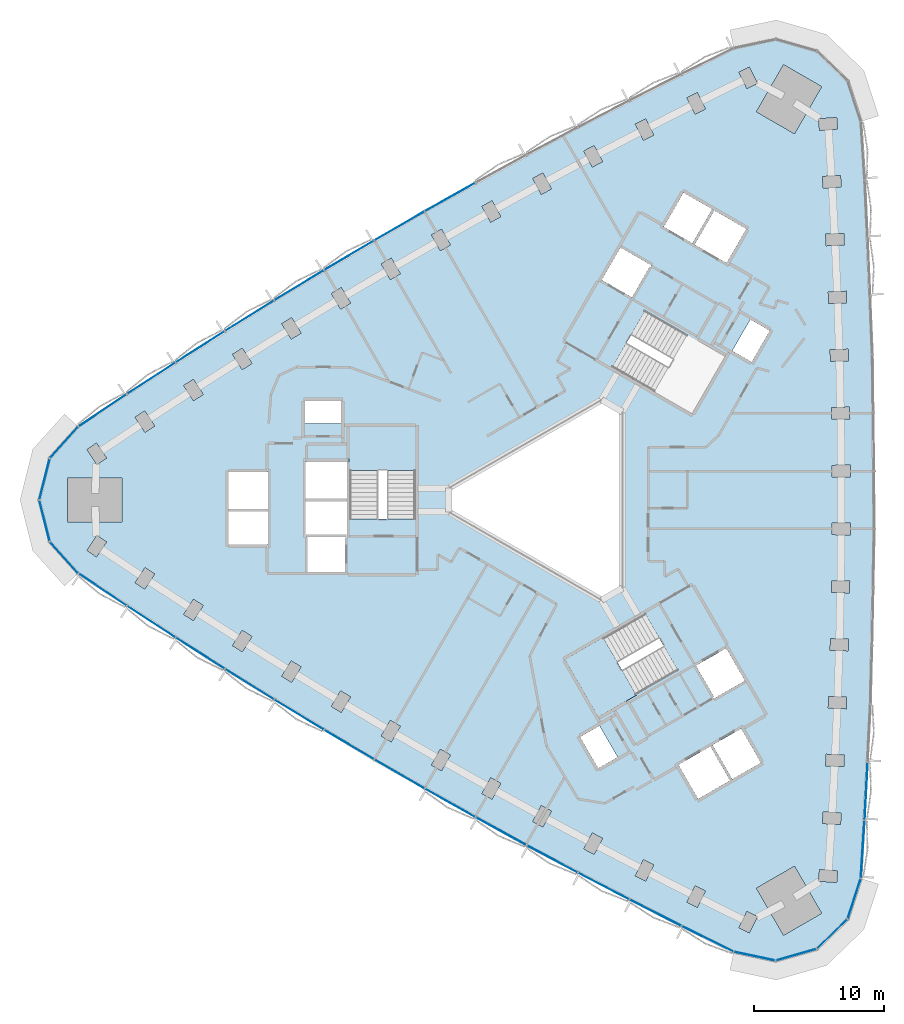
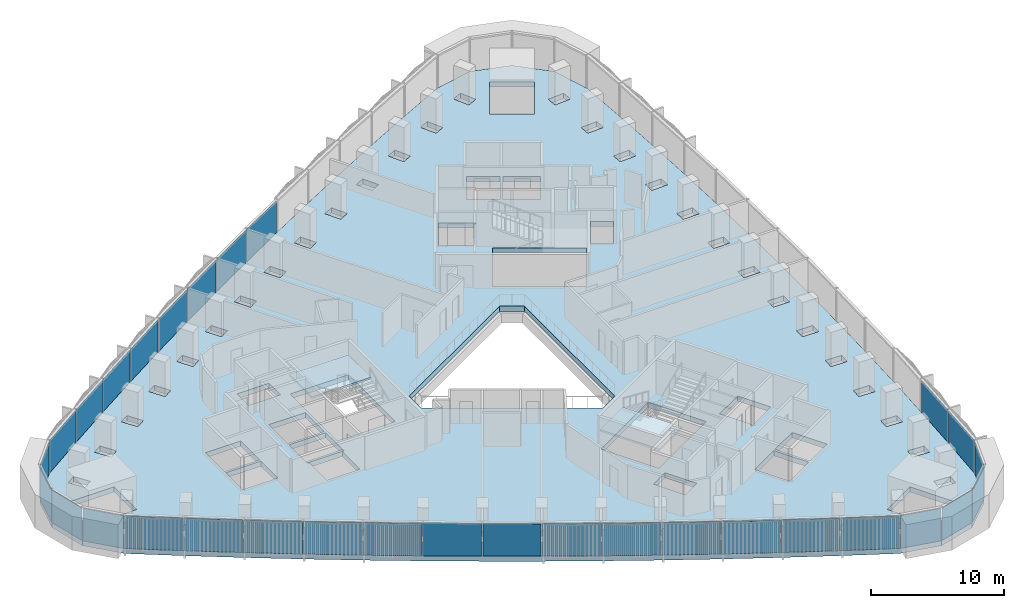
# One storey, part 7 of 15: 31 plates, 3 slabs, 5 elements without a shape of their own.
"""IFC4 building model written with IfcOpenShell, lengths in metres."""

from ifc_helpers import new_model, si_unit, direction, frame, origin, origin_2d, place, context, subcontext, project, spatial, polyline, rectangle, outline, extrude, material, layer, layer_set, type_object, element, aggregate, save


model = new_model("IFC4")

# Units and contexts
model_context = context("Model", 3, precision=1e-05, world=origin(), true_north=direction((0.0, 1.0)))
body_context = subcontext(model_context, "Body", "Model", "MODEL_VIEW")
ifc_project = project(units=[si_unit("LENGTHUNIT", "METRE"), si_unit("AREAUNIT", "SQUARE_METRE"), si_unit("VOLUMEUNIT", "CUBIC_METRE"), si_unit("PLANEANGLEUNIT", "RADIAN"), si_unit("MASSUNIT", "GRAM", prefix="KILO")], contexts=[model_context])

# Site, building, storey
site_placement = place(None, origin())
site = spatial("IfcSite", under=ifc_project, at=site_placement, CompositionType="ELEMENT")
building_placement = place(site_placement, origin())
building = spatial("IfcBuilding", under=site, at=building_placement, Name="Tamra Quay Hotel Tower", CompositionType="ELEMENT")
storey_placement = place(building_placement, frame((0.0, 0.0, 63.800048828125)))
storey = spatial("IfcBuildingStorey", under=building, at=storey_placement, Name="L14", CompositionType="ELEMENT", Elevation=63.800048828125)

# Stair, slab
ifc_material_1 = material(Name="Exit stair 2200 24 risers 150.0 going 342")
stair_type = type_object("IfcStairType", Name="Exit stair 2200 24 risers 150.0 going 342", PredefinedType="HALF_TURN_STAIR", material=ifc_material_1)
stair_1_placement = place(storey_placement, origin())
stair_1 = element("IfcStair", 1, at=stair_1_placement, inside=storey, type_object=stair_type, Name="L14 Exit stair ST3", PredefinedType="HALF_TURN_STAIR")
ifc_material_2 = material(Name="Concrete M70", Category="concrete")
ifc_layer_1 = layer(ifc_material_2, 0.175048828125)
ifc_layer_set_1 = layer_set([ifc_layer_1], Name="Concrete M70 stair landing 180")
slab_type_1 = type_object("IfcSlabType", Name="Concrete M70 stair landing 180", PredefinedType="LANDING", material=ifc_layer_set_1)
slab_1_placement = place(storey_placement, frame((0.0, 0.0, 1.625)))
slab_1 = element("IfcSlab", 2, at=slab_1_placement, type_object=slab_type_1, Name="ST3 landing 1", PredefinedType="LANDING", context=body_context, shape_type="SweptSolid", body=[
    extrude(outline(polyline([(-10.932373046875, 2.261962890625), (-10.932373046875, 5.679931640625), (-16.09130859375, 5.679931640625), (-16.09130859375, 2.261962890625), (-10.932373046875, 2.261962890625)])), origin(), (0.0, 0.0, 1.0), 0.175048828125),
])
aggregate(stair_1, [slab_1])

stair_2_placement = place(storey_placement, origin())
stair_2 = element("IfcStair", 3, at=stair_2_placement, inside=storey, type_object=stair_type, Name="L14 Exit stair ST2", PredefinedType="HALF_TURN_STAIR")
slab_2_placement = place(storey_placement, frame((0.0, 0.0, 1.625)))
slab_2 = element("IfcSlab", 4, at=slab_2_placement, type_object=slab_type_1, Name="ST2 landing 1", PredefinedType="LANDING", context=body_context, shape_type="SweptSolid", body=[
    extrude(outline(polyline([(3.50732421875, -10.5986328125), (0.547119140625, -12.3076171875), (3.126708984375, -16.775390625), (6.086669921875, -15.06640625), (3.50732421875, -10.5986328125)])), origin(), (0.0, 0.0, 1.0), 0.175048828125),
])
aggregate(stair_2, [slab_2])

# Slab
ifc_material_3 = material(Name="Concrete M60", Category="concrete")
ifc_layer_2 = layer(ifc_material_3, 0.47509765625)
ifc_layer_set_2 = layer_set([ifc_layer_2], Name="FLOOR SLAB PT 475")
slab_type_2 = type_object("IfcSlabType", Name="FLOOR SLAB PT 475", PredefinedType="FLOOR", material=ifc_layer_set_2)
slab_3_placement = place(storey_placement, frame((0.0, 0.0, -0.47509765625)))
element("IfcSlab", 5, at=slab_3_placement, inside=storey, type_object=slab_type_2, Name="SLAB-L14", PredefinedType="FLOOR", context=body_context, shape_type="SweptSolid", body=[
    extrude(outline(polyline([(23.699951171875, 24.723876953125), (23.943115234375, 20.231689453125), (24.137939453125, 15.738525390625), (24.283935546875, 11.24365234375), (24.38134765625, 6.74560546875), (24.43017578125, 2.248779296875), (24.43017578125, -2.248779296875), (24.38134765625, -6.74560546875), (24.283935546875, -11.24365234375), (24.137939453125, -15.738525390625), (23.943115234375, -20.231689453125), (23.699951171875, -24.723876953125), (23.40869140625, -29.210693359375), (22.386474609375, -32.356201171875), (20.00732421875, -34.65380859375), (16.828125, -35.5654296875), (13.593017578125, -34.877685546875), (9.5615234375, -32.88671875), (5.54931640625, -30.851318359375), (1.56103515625, -28.773193359375), (-2.40478515625, -26.65234375), (-6.3486328125, -24.48779296875), (-10.267578125, -22.281494140625), (-14.162353515625, -20.03271484375), (-18.03271484375, -17.741943359375), (-21.879150390625, -15.40869140625), (-25.698974609375, -13.034912109375), (-29.49267578125, -10.61962890625), (-33.261474609375, -8.162841796875), (-37.001708984375, -5.6669921875), (-39.214599609375, -3.208984375), (-40.0146484375, 0.0), (-39.214599609375, 3.208984375), (-37.001708984375, 5.6669921875), (-33.261474609375, 8.162841796875), (-29.49267578125, 10.61962890625), (-25.698974609375, 13.034912109375), (-21.879150390625, 15.40869140625), (-18.03271484375, 17.741943359375), (-14.162353515625, 20.03271484375), (-10.267578125, 22.281494140625), (-6.3486328125, 24.48779296875), (-2.40478515625, 26.65234375), (1.56103515625, 28.773193359375), (5.54931640625, 30.851318359375), (9.5615234375, 32.88671875), (13.593017578125, 34.877685546875), (16.828125, 35.5654296875), (20.00732421875, 34.65380859375), (22.386474609375, 32.356201171875), (23.40869140625, 29.210693359375), (23.699951171875, 24.723876953125)]), holes=[polyline([(-17.475830078125, -15.935791015625), (-16.70361328125, -16.39794921875), (-15.984375, -15.19677734375), (-16.756591796875, -14.734619140625), (-17.475830078125, -15.935791015625)]), polyline([(-20.56884765625, -12.416015625), (-21.3017578125, -13.60888671875), (-20.534912109375, -14.080078125), (-19.802001953125, -12.88720703125), (-20.56884765625, -12.416015625)]), polyline([(-24.357177734375, -10.05615234375), (-25.102294921875, -11.2412109375), (-24.340576171875, -11.72021484375), (-23.59521484375, -10.53515625), (-24.357177734375, -10.05615234375)]), polyline([(-28.11962890625, -7.6552734375), (-28.87744140625, -8.83251953125), (-28.12060546875, -9.319580078125), (-27.36279296875, -8.142578125), (-28.11962890625, -7.6552734375)]), polyline([(-31.854736328125, -5.21435546875), (-32.6259765625, -6.3828125), (-31.874755859375, -6.878662109375), (-31.103515625, -5.710205078125), (-31.854736328125, -5.21435546875)]), polyline([(-16.3173828125, -2.85498046875), (-19.4072265625, -2.85498046875), (-19.4072265625, -2.89306640625), (-19.307373046875, -2.89306640625), (-19.307373046875, -5.544921875), (-16.417236328125, -5.544921875), (-16.417236328125, -2.89306640625), (-16.3173828125, -2.89306640625), (-16.3173828125, -2.85498046875)]), polyline([(-35.565185546875, -2.73291015625), (-36.347900390625, -3.8935546875), (-35.601806640625, -4.396728515625), (-34.819091796875, -3.236083984375), (-35.565185546875, -2.73291015625)]), polyline([(-22.3671875, -3.445068359375), (-22.3671875, -0.905029296875), (-25.4072265625, -0.905029296875), (-25.4072265625, -3.445068359375), (-22.3671875, -3.445068359375)]), polyline([(-19.417236328125, -2.89306640625), (-19.417236328125, -2.64501953125), (-16.307373046875, -2.64501953125), (-16.307373046875, -2.89306640625), (-16.26708984375, -2.89306640625), (-16.26708984375, -0.10498046875), (-19.45751953125, -0.10498046875), (-19.45751953125, -2.89306640625), (-19.417236328125, -2.89306640625)]), polyline([(-33.62890625, 1.699951171875), (-37.828857421875, 1.699951171875), (-37.828857421875, -1.699951171875), (-33.62890625, -1.699951171875), (-33.62890625, 1.699951171875)]), polyline([(-25.4072265625, -0.695068359375), (-22.3671875, -0.695068359375), (-22.3671875, 2.14501953125), (-25.4072265625, 2.14501953125), (-25.4072265625, -0.695068359375)]), polyline([(-19.45751953125, 0.10498046875), (-16.26708984375, 0.10498046875), (-16.26708984375, 2.945068359375), (-19.45751953125, 2.945068359375), (-19.45751953125, 0.10498046875)]), polyline([(-16.036376953125, -1.455078125), (-10.9873046875, -1.455078125), (-10.9873046875, 5.625), (-16.036376953125, 5.625), (-16.036376953125, -1.455078125)]), polyline([(-34.819091796875, 3.236083984375), (-35.601806640625, 4.396728515625), (-36.347900390625, 3.8935546875), (-35.565185546875, 2.73291015625), (-34.819091796875, 3.236083984375)]), polyline([(-31.103515625, 5.710205078125), (-31.874755859375, 6.878662109375), (-32.6259765625, 6.3828125), (-31.854736328125, 5.21435546875), (-31.103515625, 5.710205078125)]), polyline([(-16.71728515625, 7.64501953125), (-19.50732421875, 7.64501953125), (-19.50732421875, 5.9150390625), (-16.71728515625, 5.9150390625), (-16.71728515625, 7.64501953125)]), polyline([(-27.36279296875, 8.142578125), (-28.12060546875, 9.319580078125), (-28.87744140625, 8.83251953125), (-28.11962890625, 7.6552734375), (-27.36279296875, 8.142578125)]), polyline([(-23.59521484375, 10.53515625), (-24.340576171875, 11.72021484375), (-25.102294921875, 11.2412109375), (-24.357177734375, 10.05615234375), (-23.59521484375, 10.53515625)]), polyline([(-19.802001953125, 12.88720703125), (-20.534912109375, 14.080078125), (-21.3017578125, 13.60888671875), (-20.56884765625, 12.416015625), (-19.802001953125, 12.88720703125)]), polyline([(-15.984375, 15.19677734375), (-16.70361328125, 16.39794921875), (-17.475830078125, 15.935791015625), (-16.756591796875, 14.734619140625), (-15.984375, 15.19677734375)]), polyline([(-12.141357421875, 17.466064453125), (-12.84765625, 18.6748046875), (-13.624755859375, 18.220703125), (-12.918212890625, 17.011962890625), (-12.141357421875, 17.466064453125)]), polyline([(10.606689453125, -29.79150390625), (9.980224609375, -31.04345703125), (10.78515625, -31.4462890625), (11.41162109375, -30.194091796875), (10.606689453125, -29.79150390625)]), polyline([(6.6298828125, -27.76806640625), (5.9892578125, -29.012939453125), (6.78955078125, -29.4248046875), (7.43017578125, -28.179931640625), (6.6298828125, -27.76806640625)]), polyline([(2.673828125, -25.70166015625), (2.02001953125, -26.939697265625), (2.81591796875, -27.35986328125), (3.4697265625, -26.121826171875), (2.673828125, -25.70166015625)]), polyline([(-1.259521484375, -23.5927734375), (-1.92626953125, -24.82373046875), (-1.134765625, -25.252197265625), (-0.46826171875, -24.021240234375), (-1.259521484375, -23.5927734375)]), polyline([(-5.168701171875, -21.44140625), (-5.849365234375, -22.664794921875), (-5.06298828125, -23.102294921875), (-4.382080078125, -21.87890625), (-5.168701171875, -21.44140625)]), polyline([(13.3056640625, -21.65576171875), (11.78564453125, -19.02294921875), (9.325927734375, -20.443115234375), (10.845947265625, -23.075927734375), (13.3056640625, -21.65576171875)]), polyline([(-9.055419921875, -19.247802734375), (-9.7490234375, -20.4638671875), (-8.96728515625, -20.90966796875), (-8.273681640625, -19.693603515625), (-9.055419921875, -19.247802734375)]), polyline([(1.73779296875, -18.300048828125), (3.1328125, -20.71630859375), (4.631103515625, -19.851318359375), (3.236083984375, -17.43505859375), (1.73779296875, -18.300048828125)]), polyline([(-12.918212890625, -17.011962890625), (-13.624755859375, -18.220703125), (-12.84765625, -18.6748046875), (-12.141357421875, -17.466064453125), (-12.918212890625, -17.011962890625)]), polyline([(10.68115234375, -12.790283203125), (12.05615234375, -15.171875), (11.969482421875, -15.2216796875), (12.03955078125, -15.343017578125), (14.455810546875, -13.947998046875), (13.0107421875, -11.4453125), (10.68115234375, -12.790283203125)]), polyline([(9.2783203125, -13.160400390625), (6.75390625, -8.78759765625), (0.622314453125, -12.32763671875), (3.146728515625, -16.7001953125), (9.2783203125, -13.160400390625)]), polyline([(3.39990234375, 7.736572265625), (-8.39990234375, 0.923828125), (-8.39990234375, -0.923828125), (3.39990234375, -7.736572265625), (5.0, -6.812744140625), (5.0, 6.812744140625), (3.39990234375, 7.736572265625)]), polyline([(6.758056640625, 14.615478515625), (4.2333984375, 10.242919921875), (10.364990234375, 6.702880859375), (12.889404296875, 11.075439453125), (6.758056640625, 14.615478515625)]), polyline([(5.736083984375, 15.645263671875), (7.111083984375, 18.02685546875), (7.19775390625, 17.976806640625), (7.267578125, 18.09814453125), (4.8515625, 19.4931640625), (3.406494140625, 16.990234375), (5.736083984375, 15.645263671875)]), polyline([(-8.273681640625, 19.693603515625), (-8.96728515625, 20.90966796875), (-9.7490234375, 20.4638671875), (-9.055419921875, 19.247802734375), (-8.273681640625, 19.693603515625)]), polyline([(8.2001953125, 21.093017578125), (10.39990234375, 19.822998046875), (11.919921875, 22.455810546875), (9.72021484375, 23.725830078125), (8.2001953125, 21.093017578125)]), polyline([(-4.382080078125, 21.87890625), (-5.06298828125, 23.102294921875), (-5.849365234375, 22.664794921875), (-5.168701171875, 21.44140625), (-4.382080078125, 21.87890625)]), polyline([(-0.46826171875, 24.021240234375), (-1.134765625, 25.252197265625), (-1.92626953125, 24.82373046875), (-1.259521484375, 23.5927734375), (-0.46826171875, 24.021240234375)]), polyline([(3.4697265625, 26.121826171875), (2.81591796875, 27.35986328125), (2.02001953125, 26.939697265625), (2.673828125, 25.70166015625), (3.4697265625, 26.121826171875)]), polyline([(7.43017578125, 28.179931640625), (6.78955078125, 29.4248046875), (5.9892578125, 29.012939453125), (6.6298828125, 27.76806640625), (7.43017578125, 28.179931640625)]), polyline([(11.41162109375, 30.194091796875), (10.78515625, 31.4462890625), (9.980224609375, 31.04345703125), (10.606689453125, 29.79150390625), (11.41162109375, 30.194091796875)]), polyline([(14.60693359375, -31.772216796875), (13.993408203125, -33.030517578125), (14.80224609375, -33.425048828125), (15.416015625, -32.166748046875), (14.60693359375, -31.772216796875)]), polyline([(15.34228515625, -29.973388671875), (17.442138671875, -33.61083984375), (20.38671875, -31.910888671875), (18.28662109375, -28.2734375), (15.34228515625, -29.973388671875)]), polyline([(20.1494140625, -29.43408203125), (21.5458984375, -29.53173828125), (21.608642578125, -28.6337890625), (20.212158203125, -28.5361328125), (20.1494140625, -29.43408203125)]), polyline([(20.443115234375, -24.979736328125), (21.840576171875, -25.0634765625), (21.894287109375, -24.1650390625), (20.496826171875, -24.081298828125), (20.443115234375, -24.979736328125)]), polyline([(20.689453125, -20.524658203125), (22.087890625, -20.59228515625), (22.13134765625, -19.693359375), (20.73291015625, -19.625732421875), (20.689453125, -20.524658203125)]), polyline([(14.1669921875, -17.648193359375), (11.96728515625, -18.91796875), (13.487548828125, -21.55078125), (15.68701171875, -20.281005859375), (14.1669921875, -17.648193359375)]), polyline([(20.887451171875, -16.06591796875), (22.286376953125, -16.11865234375), (22.3203125, -15.219482421875), (20.92138671875, -15.16650390625), (20.887451171875, -16.06591796875)]), polyline([(21.037109375, -11.60498046875), (22.4365234375, -11.643310546875), (22.461181640625, -10.74365234375), (21.0615234375, -10.70556640625), (21.037109375, -11.60498046875)]), polyline([(21.138916015625, -7.144287109375), (22.538818359375, -7.16650390625), (22.552978515625, -6.2666015625), (21.153076171875, -6.244384765625), (21.138916015625, -7.144287109375)]), polyline([(21.19189453125, -2.681640625), (22.591796875, -2.68896484375), (22.5966796875, -1.7890625), (21.19677734375, -1.781494140625), (21.19189453125, -2.681640625)]), polyline([(21.19677734375, 1.781494140625), (22.5966796875, 1.7890625), (22.591796875, 2.68896484375), (21.19189453125, 2.681640625), (21.19677734375, 1.781494140625)]), polyline([(21.153076171875, 6.244384765625), (22.552978515625, 6.2666015625), (22.538818359375, 7.16650390625), (21.138916015625, 7.144287109375), (21.153076171875, 6.244384765625)]), polyline([(21.0615234375, 10.70556640625), (22.461181640625, 10.74365234375), (22.4365234375, 11.643310546875), (21.037109375, 11.60498046875), (21.0615234375, 10.70556640625)]), polyline([(14.9794921875, 10.655029296875), (16.37451171875, 13.0712890625), (14.876220703125, 13.936279296875), (13.481201171875, 11.52001953125), (14.9794921875, 10.655029296875)]), polyline([(20.92138671875, 15.16650390625), (22.3203125, 15.219482421875), (22.286376953125, 16.11865234375), (20.887451171875, 16.06591796875), (20.92138671875, 15.16650390625)]), polyline([(20.73291015625, 19.625732421875), (22.13134765625, 19.693359375), (22.087890625, 20.59228515625), (20.689453125, 20.524658203125), (20.73291015625, 19.625732421875)]), polyline([(12.101806640625, 22.350830078125), (10.58154296875, 19.718017578125), (13.041259765625, 18.298095703125), (14.561279296875, 20.930908203125), (12.101806640625, 22.350830078125)]), polyline([(20.496826171875, 24.081298828125), (21.894287109375, 24.1650390625), (21.840576171875, 25.0634765625), (20.443115234375, 24.979736328125), (20.496826171875, 24.081298828125)]), polyline([(20.212158203125, 28.5361328125), (21.608642578125, 28.6337890625), (21.5458984375, 29.53173828125), (20.1494140625, 29.43408203125), (20.212158203125, 28.5361328125)]), polyline([(18.28662109375, 28.2734375), (20.38671875, 31.910888671875), (17.442138671875, 33.61083984375), (15.34228515625, 29.973388671875), (18.28662109375, 28.2734375)]), polyline([(15.416015625, 32.166748046875), (14.80224609375, 33.425048828125), (13.993408203125, 33.030517578125), (14.60693359375, 31.772216796875), (15.416015625, 32.166748046875)])]), origin(), (0.0, 0.0, 1.0), 0.47509765625),
])

# Curtain wall, plates
ifc_material_4 = material(Name="Aluminium 6063 anodised dark grey", Category="aluminium")
curtain_wall_type_1 = type_object("IfcCurtainWallType", Name="CW1 CURTAIN WALL", PredefinedType="NOTDEFINED", material=ifc_material_4)
curtain_wall_1_placement = place(storey_placement, origin())
curtain_wall_1 = element("IfcCurtainWall", 6, at=curtain_wall_1_placement, inside=storey, type_object=curtain_wall_type_1, Name="CW1 east face L14", PredefinedType="NOTDEFINED")
ifc_material_5 = material(Name="Glass clear laminated low-iron", Category="glass")
ifc_layer_3 = layer(ifc_material_5, 0.035888671875)
ifc_layer_set_3 = layer_set([ifc_layer_3], Name="GLASS PANEL CW1 Z1")
plate_type_1 = type_object("IfcPlateType", Name="GLASS PANEL CW1 Z1", PredefinedType="CURTAIN_PANEL", material=ifc_layer_set_3)
plate_1_placement = place(storey_placement, frame((23.55419921875, -26.96728515625, 0.0), z_axis=(0.0, 0.0, 1.0), x_axis=(0.064813097616, 0.997897420769, 0.0)))
plate_1 = element("IfcPlate", 7, at=plate_1_placement, type_object=plate_type_1, Name="CW1 glass L14.E.1", PredefinedType="CURTAIN_PANEL", context=body_context, shape_type="SweptSolid", body=[
    extrude(rectangle(XDim=4.396484375, YDim=0.035888671875, at=origin_2d()), origin(), (0.0, 0.0, 1.0), 2.985107421875),
])
plate_2_placement = place(storey_placement, frame((23.821533203125, -22.477783203125, 0.0), z_axis=(0.0, 0.0, 1.0), x_axis=(0.054062119595, 0.998537574268, 0.0)))
plate_2 = element("IfcPlate", 8, at=plate_2_placement, type_object=plate_type_1, Name="CW1 glass L14.E.2", PredefinedType="CURTAIN_PANEL", context=body_context, shape_type="SweptSolid", body=[
    extrude(rectangle(XDim=4.39892578125, YDim=0.035888671875, at=origin_2d()), origin(), (0.0, 0.0, 1.0), 2.985107421875),
])
aggregate(curtain_wall_1, [plate_1, plate_2])

curtain_wall_type_2 = type_object("IfcCurtainWallType", Name="CW2 CURTAIN WALL", PredefinedType="NOTDEFINED", material=ifc_material_4)
curtain_wall_2_placement = place(storey_placement, origin())
curtain_wall_2 = element("IfcCurtainWall", 9, at=curtain_wall_2_placement, inside=storey, type_object=curtain_wall_type_2, Name="CW2 north-west face L14", PredefinedType="NOTDEFINED")
ifc_layer_4 = layer(ifc_material_5, 0.035888671875)
ifc_layer_set_4 = layer_set([ifc_layer_4], Name="GLASS PANEL CW2 Z1")
plate_type_2 = type_object("IfcPlateType", Name="GLASS PANEL CW2 Z1", PredefinedType="CURTAIN_PANEL", material=ifc_layer_set_4)
plate_3_placement = place(storey_placement, frame((-8.30810546875, 23.384521484375, 0.0), z_axis=(0.0, 0.0, 1.0), x_axis=(-0.871392472945, -0.490586544959, 0.0)))
plate_3 = element("IfcPlate", 10, at=plate_3_placement, type_object=plate_type_2, Name="CW2 glass L14.NW.6", PredefinedType="CURTAIN_PANEL", context=body_context, shape_type="SweptSolid", body=[
    extrude(rectangle(XDim=4.397216796875, YDim=0.035888671875, at=origin_2d()), origin(), (0.0, 0.0, 1.0), 2.985107421875),
])
plate_4_placement = place(storey_placement, frame((-12.215087890625, 21.156982421875, 0.0), z_axis=(0.0, 0.0, 1.0), x_axis=(-0.866025403784, -0.5, 0.0)))
plate_4 = element("IfcPlate", 11, at=plate_4_placement, type_object=plate_type_2, Name="CW2 glass L14.NW.7", PredefinedType="CURTAIN_PANEL", context=body_context, shape_type="SweptSolid", body=[
    extrude(rectangle(XDim=4.397216796875, YDim=0.035888671875, at=origin_2d()), origin(), (0.0, 0.0, 1.0), 2.985107421875),
])
plate_5_placement = place(storey_placement, frame((-16.09765625, 18.887451171875, 0.0), z_axis=(0.0, 0.0, 1.0), x_axis=(-0.860556647162, -0.509354745757, 0.0)))
plate_5 = element("IfcPlate", 12, at=plate_5_placement, type_object=plate_type_2, Name="CW2 glass L14.NW.8", PredefinedType="CURTAIN_PANEL", context=body_context, shape_type="SweptSolid", body=[
    extrude(rectangle(XDim=4.397216796875, YDim=0.035888671875, at=origin_2d()), origin(), (0.0, 0.0, 1.0), 2.985107421875),
])
plate_6_placement = place(storey_placement, frame((-19.955810546875, 16.575439453125, 0.0), z_axis=(0.0, 0.0, 1.0), x_axis=(-0.85499355735, -0.51863861878, 0.0)))
plate_6 = element("IfcPlate", 13, at=plate_6_placement, type_object=plate_type_2, Name="CW2 glass L14.NW.9", PredefinedType="CURTAIN_PANEL", context=body_context, shape_type="SweptSolid", body=[
    extrude(rectangle(XDim=4.39892578125, YDim=0.035888671875, at=origin_2d()), origin(), (0.0, 0.0, 1.0), 2.985107421875),
])
plate_7_placement = place(storey_placement, frame((-23.7890625, 14.2216796875, 0.0), z_axis=(0.0, 0.0, 1.0), x_axis=(-0.849331223164, -0.527860278254, 0.0)))
plate_7 = element("IfcPlate", 14, at=plate_7_placement, type_object=plate_type_2, Name="CW2 glass L14.NW.10", PredefinedType="CURTAIN_PANEL", context=body_context, shape_type="SweptSolid", body=[
    extrude(rectangle(XDim=4.397216796875, YDim=0.035888671875, at=origin_2d()), origin(), (0.0, 0.0, 1.0), 2.985107421875),
])
plate_8_placement = place(storey_placement, frame((-27.595703125, 11.8271484375, 0.0), z_axis=(0.0, 0.0, 1.0), x_axis=(-0.84357098627, -0.537017682319, 0.0)))
plate_8 = element("IfcPlate", 15, at=plate_8_placement, type_object=plate_type_2, Name="CW2 glass L14.NW.11", PredefinedType="CURTAIN_PANEL", context=body_context, shape_type="SweptSolid", body=[
    extrude(rectangle(XDim=4.397216796875, YDim=0.035888671875, at=origin_2d()), origin(), (0.0, 0.0, 1.0), 2.985107421875),
])
plate_9_placement = place(storey_placement, frame((-31.376953125, 9.391357421875, 0.0), z_axis=(0.0, 0.0, 1.0), x_axis=(-0.837727846152, -0.546087956086, 0.0)))
plate_9 = element("IfcPlate", 16, at=plate_9_placement, type_object=plate_type_2, Name="CW2 glass L14.NW.12", PredefinedType="CURTAIN_PANEL", context=body_context, shape_type="SweptSolid", body=[
    extrude(rectangle(XDim=4.39892578125, YDim=0.035888671875, at=origin_2d()), origin(), (0.0, 0.0, 1.0), 2.985107421875),
])
plate_10_placement = place(storey_placement, frame((-35.131591796875, 6.9150390625, 0.0), z_axis=(0.0, 0.0, 1.0), x_axis=(-0.831797967949, -0.555078499418, 0.0)))
plate_10 = element("IfcPlate", 17, at=plate_10_placement, type_object=plate_type_2, Name="CW2 glass L14.NW.13", PredefinedType="CURTAIN_PANEL", context=body_context, shape_type="SweptSolid", body=[
    extrude(rectangle(XDim=4.396484375, YDim=0.035888671875, at=origin_2d()), origin(), (0.0, 0.0, 1.0), 2.985107421875),
])
plate_11_placement = place(storey_placement, frame((-38.108154296875, 4.43798828125, 0.0), z_axis=(0.0, 0.0, 1.0), x_axis=(-0.669112198553, -0.743161399527, 0.0)))
plate_11 = element("IfcPlate", 18, at=plate_11_placement, type_object=plate_type_2, Name="CW2 glass L14.NW.14", PredefinedType="CURTAIN_PANEL", context=body_context, shape_type="SweptSolid", body=[
    extrude(rectangle(XDim=3.207275390625, YDim=0.035888671875, at=origin_2d()), origin(), (0.0, 0.0, 1.0), 2.985107421875),
])
plate_12_placement = place(storey_placement, frame((-39.61474609375, 1.6044921875, 0.0), z_axis=(0.0, 0.0, 1.0), x_axis=(-0.241913884219, -0.970297723702, 0.0)))
plate_12 = element("IfcPlate", 19, at=plate_12_placement, type_object=plate_type_2, Name="CW2 glass L14.NW.15", PredefinedType="CURTAIN_PANEL", context=body_context, shape_type="SweptSolid", body=[
    extrude(rectangle(XDim=3.207275390625, YDim=0.035888671875, at=origin_2d()), origin(), (0.0, 0.0, 1.0), 2.985107421875),
])
plate_13_placement = place(storey_placement, frame((-39.61474609375, -1.6044921875, 0.0), z_axis=(0.0, 0.0, 1.0), x_axis=(0.24191388422, -0.970297723702, 0.0)))
plate_13 = element("IfcPlate", 20, at=plate_13_placement, type_object=plate_type_2, Name="CW2 glass L14.NW.16", PredefinedType="CURTAIN_PANEL", context=body_context, shape_type="SweptSolid", body=[
    extrude(rectangle(XDim=3.207275390625, YDim=0.035888671875, at=origin_2d()), origin(), (0.0, 0.0, 1.0), 2.985107421875),
])
plate_14_placement = place(storey_placement, frame((-38.108154296875, -4.43798828125, 0.0), z_axis=(0.0, 0.0, 1.0), x_axis=(0.669112198553, -0.743161399527, 0.0)))
plate_14 = element("IfcPlate", 21, at=plate_14_placement, type_object=plate_type_2, Name="CW2 glass L14.NW.17", PredefinedType="CURTAIN_PANEL", context=body_context, shape_type="SweptSolid", body=[
    extrude(rectangle(XDim=3.207275390625, YDim=0.035888671875, at=origin_2d()), origin(), (0.0, 0.0, 1.0), 2.985107421875),
])
aggregate(curtain_wall_2, [plate_3, plate_4, plate_5, plate_6, plate_7, plate_8, plate_9, plate_10, plate_11, plate_12, plate_13, plate_14])

curtain_wall_type_3 = type_object("IfcCurtainWallType", Name="CW3 CURTAIN WALL", PredefinedType="NOTDEFINED", material=ifc_material_4)
curtain_wall_3_placement = place(storey_placement, origin())
curtain_wall_3 = element("IfcCurtainWall", 22, at=curtain_wall_3_placement, inside=storey, type_object=curtain_wall_type_3, Name="CW3 south-west face L14", PredefinedType="NOTDEFINED")
ifc_layer_5 = layer(ifc_material_5, 0.035888671875)
ifc_layer_set_5 = layer_set([ifc_layer_5], Name="GLASS PANEL CW3 Z1")
plate_type_3 = type_object("IfcPlateType", Name="GLASS PANEL CW3 Z1", PredefinedType="CURTAIN_PANEL", material=ifc_layer_set_5)
plate_15_placement = place(storey_placement, frame((-35.131591796875, -6.9150390625, 0.0), z_axis=(0.0, 0.0, 1.0), x_axis=(0.831797967949, -0.555078499418, 0.0)))
plate_15 = element("IfcPlate", 23, at=plate_15_placement, type_object=plate_type_3, Name="CW3 glass L14.SW.1", PredefinedType="CURTAIN_PANEL", context=body_context, shape_type="SweptSolid", body=[
    extrude(rectangle(XDim=4.396484375, YDim=0.035888671875, at=origin_2d()), origin(), (0.0, 0.0, 1.0), 2.985107421875),
])
plate_16_placement = place(storey_placement, frame((-31.376953125, -9.391357421875, 0.0), z_axis=(0.0, 0.0, 1.0), x_axis=(0.837727846152, -0.546087956086, 0.0)))
plate_16 = element("IfcPlate", 24, at=plate_16_placement, type_object=plate_type_3, Name="CW3 glass L14.SW.2", PredefinedType="CURTAIN_PANEL", context=body_context, shape_type="SweptSolid", body=[
    extrude(rectangle(XDim=4.39892578125, YDim=0.035888671875, at=origin_2d()), origin(), (0.0, 0.0, 1.0), 2.985107421875),
])
plate_17_placement = place(storey_placement, frame((-27.595703125, -11.8271484375, 0.0), z_axis=(0.0, 0.0, 1.0), x_axis=(0.84357098627, -0.537017682319, 0.0)))
plate_17 = element("IfcPlate", 25, at=plate_17_placement, type_object=plate_type_3, Name="CW3 glass L14.SW.3", PredefinedType="CURTAIN_PANEL", context=body_context, shape_type="SweptSolid", body=[
    extrude(rectangle(XDim=4.397216796875, YDim=0.035888671875, at=origin_2d()), origin(), (0.0, 0.0, 1.0), 2.985107421875),
])
plate_18_placement = place(storey_placement, frame((-23.7890625, -14.2216796875, 0.0), z_axis=(0.0, 0.0, 1.0), x_axis=(0.849331223164, -0.527860278254, 0.0)))
plate_18 = element("IfcPlate", 26, at=plate_18_placement, type_object=plate_type_3, Name="CW3 glass L14.SW.4", PredefinedType="CURTAIN_PANEL", context=body_context, shape_type="SweptSolid", body=[
    extrude(rectangle(XDim=4.397216796875, YDim=0.035888671875, at=origin_2d()), origin(), (0.0, 0.0, 1.0), 2.985107421875),
])
plate_19_placement = place(storey_placement, frame((-19.955810546875, -16.575439453125, 0.0), z_axis=(0.0, 0.0, 1.0), x_axis=(0.85499355735, -0.51863861878, 0.0)))
plate_19 = element("IfcPlate", 27, at=plate_19_placement, type_object=plate_type_3, Name="CW3 glass L14.SW.5", PredefinedType="CURTAIN_PANEL", context=body_context, shape_type="SweptSolid", body=[
    extrude(rectangle(XDim=4.39892578125, YDim=0.035888671875, at=origin_2d()), origin(), (0.0, 0.0, 1.0), 2.985107421875),
])
plate_20_placement = place(storey_placement, frame((-16.09765625, -18.887451171875, 0.0), z_axis=(0.0, 0.0, 1.0), x_axis=(0.860556647162, -0.509354745757, 0.0)))
plate_20 = element("IfcPlate", 28, at=plate_20_placement, type_object=plate_type_3, Name="CW3 glass L14.SW.6", PredefinedType="CURTAIN_PANEL", context=body_context, shape_type="SweptSolid", body=[
    extrude(rectangle(XDim=4.397216796875, YDim=0.035888671875, at=origin_2d()), origin(), (0.0, 0.0, 1.0), 2.985107421875),
])
plate_21_placement = place(storey_placement, frame((-12.215087890625, -21.156982421875, 0.0), z_axis=(0.0, 0.0, 1.0), x_axis=(0.866025403784, -0.5, 0.0)))
plate_21 = element("IfcPlate", 29, at=plate_21_placement, type_object=plate_type_3, Name="CW3 glass L14.SW.7", PredefinedType="CURTAIN_PANEL", context=body_context, shape_type="SweptSolid", body=[
    extrude(rectangle(XDim=4.397216796875, YDim=0.035888671875, at=origin_2d()), origin(), (0.0, 0.0, 1.0), 2.985107421875),
])
plate_22_placement = place(storey_placement, frame((-8.30810546875, -23.384521484375, 0.0), z_axis=(0.0, 0.0, 1.0), x_axis=(0.871392472945, -0.490586544959, 0.0)))
plate_22 = element("IfcPlate", 30, at=plate_22_placement, type_object=plate_type_3, Name="CW3 glass L14.SW.8", PredefinedType="CURTAIN_PANEL", context=body_context, shape_type="SweptSolid", body=[
    extrude(rectangle(XDim=4.397216796875, YDim=0.035888671875, at=origin_2d()), origin(), (0.0, 0.0, 1.0), 2.985107421875),
])
plate_23_placement = place(storey_placement, frame((-4.376708984375, -25.570068359375, 0.0), z_axis=(0.0, 0.0, 1.0), x_axis=(0.876650997922, -0.481126831347, 0.0)))
plate_23 = element("IfcPlate", 31, at=plate_23_placement, type_object=plate_type_3, Name="CW3 glass L14.SW.9", PredefinedType="CURTAIN_PANEL", context=body_context, shape_type="SweptSolid", body=[
    extrude(rectangle(XDim=4.39892578125, YDim=0.035888671875, at=origin_2d()), origin(), (0.0, 0.0, 1.0), 2.985107421875),
])
plate_24_placement = place(storey_placement, frame((-0.421875, -27.712890625, 0.0), z_axis=(0.0, 0.0, 1.0), x_axis=(0.881806022199, -0.47161227636, 0.0)))
plate_24 = element("IfcPlate", 32, at=plate_24_placement, type_object=plate_type_3, Name="CW3 glass L14.SW.10", PredefinedType="CURTAIN_PANEL", context=body_context, shape_type="SweptSolid", body=[
    extrude(rectangle(XDim=4.397216796875, YDim=0.035888671875, at=origin_2d()), origin(), (0.0, 0.0, 1.0), 2.985107421875),
])
plate_25_placement = place(storey_placement, frame((3.55517578125, -29.812255859375, 0.0), z_axis=(0.0, 0.0, 1.0), x_axis=(0.886856448305, -0.462045062846, 0.0)))
plate_25 = element("IfcPlate", 33, at=plate_25_placement, type_object=plate_type_3, Name="CW3 glass L14.SW.11", PredefinedType="CURTAIN_PANEL", context=body_context, shape_type="SweptSolid", body=[
    extrude(rectangle(XDim=4.397216796875, YDim=0.035888671875, at=origin_2d()), origin(), (0.0, 0.0, 1.0), 2.985107421875),
])
plate_26_placement = place(storey_placement, frame((7.555419921875, -31.868896484375, 0.0), z_axis=(0.0, 0.0, 1.0), x_axis=(0.891789965747, -0.452449618182, 0.0)))
plate_26 = element("IfcPlate", 34, at=plate_26_placement, type_object=plate_type_3, Name="CW3 glass L14.SW.12", PredefinedType="CURTAIN_PANEL", context=body_context, shape_type="SweptSolid", body=[
    extrude(rectangle(XDim=4.39892578125, YDim=0.035888671875, at=origin_2d()), origin(), (0.0, 0.0, 1.0), 2.985107421875),
])
plate_27_placement = place(storey_placement, frame((11.5771484375, -33.88232421875, 0.0), z_axis=(0.0, 0.0, 1.0), x_axis=(0.896611065565, -0.442818921351, 0.0)))
plate_27 = element("IfcPlate", 35, at=plate_27_placement, type_object=plate_type_3, Name="CW3 glass L14.SW.13", PredefinedType="CURTAIN_PANEL", context=body_context, shape_type="SweptSolid", body=[
    extrude(rectangle(XDim=4.396484375, YDim=0.035888671875, at=origin_2d()), origin(), (0.0, 0.0, 1.0), 2.985107421875),
])
plate_28_placement = place(storey_placement, frame((15.210693359375, -35.2216796875, 0.0), z_axis=(0.0, 0.0, 1.0), x_axis=(0.978152750379, -0.207887462165, 0.0)))
plate_28 = element("IfcPlate", 36, at=plate_28_placement, type_object=plate_type_3, Name="CW3 glass L14.SW.14", PredefinedType="CURTAIN_PANEL", context=body_context, shape_type="SweptSolid", body=[
    extrude(rectangle(XDim=3.207275390625, YDim=0.035888671875, at=origin_2d()), origin(), (0.0, 0.0, 1.0), 2.985107421875),
])
plate_29_placement = place(storey_placement, frame((18.417724609375, -35.109619140625, 0.0), z_axis=(0.0, 0.0, 1.0), x_axis=(0.96125942007, 0.275645292589, 0.0)))
plate_29 = element("IfcPlate", 37, at=plate_29_placement, type_object=plate_type_3, Name="CW3 glass L14.SW.15", PredefinedType="CURTAIN_PANEL", context=body_context, shape_type="SweptSolid", body=[
    extrude(rectangle(XDim=3.207275390625, YDim=0.035888671875, at=origin_2d()), origin(), (0.0, 0.0, 1.0), 2.985107421875),
])
plate_30_placement = place(storey_placement, frame((21.197021484375, -33.5048828125, 0.0), z_axis=(0.0, 0.0, 1.0), x_axis=(0.719345535851, 0.694652431113, 0.0)))
plate_30 = element("IfcPlate", 38, at=plate_30_placement, type_object=plate_type_3, Name="CW3 glass L14.SW.16", PredefinedType="CURTAIN_PANEL", context=body_context, shape_type="SweptSolid", body=[
    extrude(rectangle(XDim=3.207275390625, YDim=0.035888671875, at=origin_2d()), origin(), (0.0, 0.0, 1.0), 2.985107421875),
])
plate_31_placement = place(storey_placement, frame((22.8974609375, -30.783447265625, 0.0), z_axis=(0.0, 0.0, 1.0), x_axis=(0.309040551826, 0.951048861693, 0.0)))
plate_31 = element("IfcPlate", 39, at=plate_31_placement, type_object=plate_type_3, Name="CW3 glass L14.SW.17", PredefinedType="CURTAIN_PANEL", context=body_context, shape_type="SweptSolid", body=[
    extrude(rectangle(XDim=3.207275390625, YDim=0.035888671875, at=origin_2d()), origin(), (0.0, 0.0, 1.0), 2.985107421875),
])
aggregate(curtain_wall_3, [plate_15, plate_16, plate_17, plate_18, plate_19, plate_20, plate_21, plate_22, plate_23, plate_24, plate_25, plate_26, plate_27, plate_28, plate_29, plate_30, plate_31])

save(model, "model.ifc")
